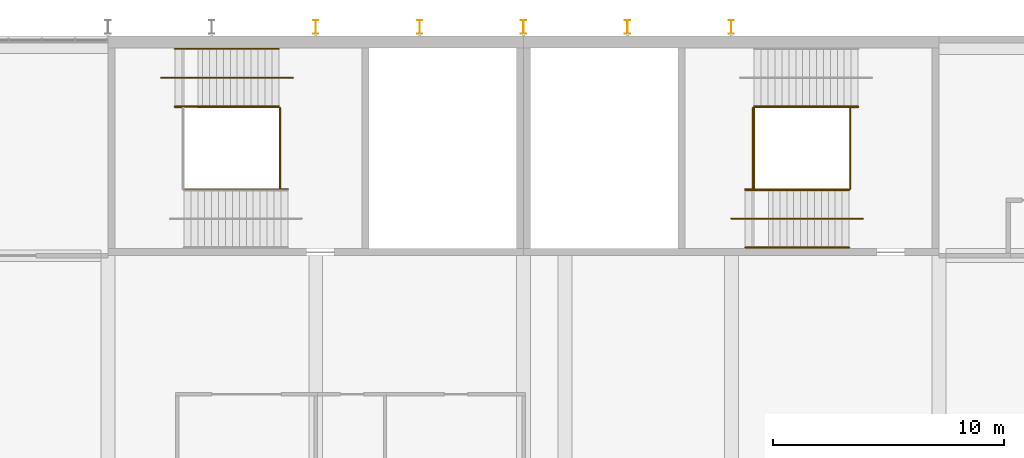
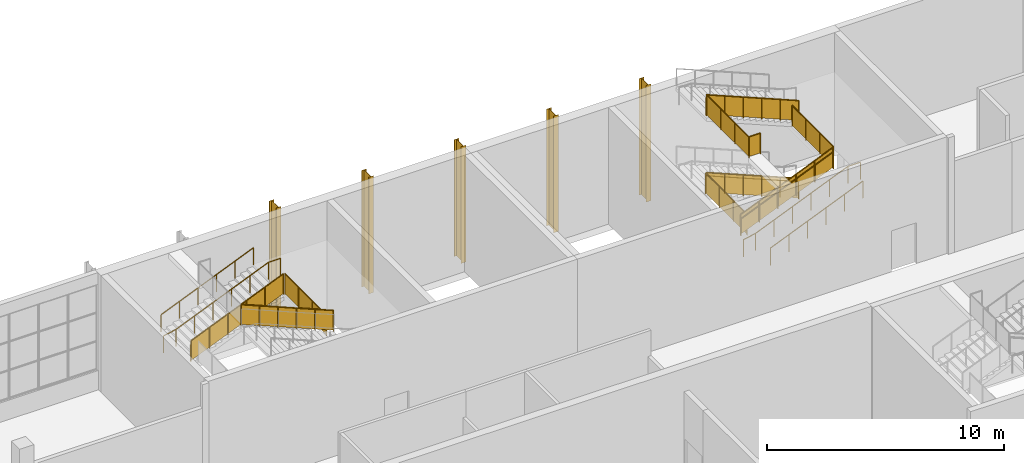
# One storey, part 87 of 89: 17 railings, 5 shading devices.
"""IFC4 building model written with IfcOpenShell, lengths in metres."""

import ifcopenshell
import ifcopenshell.guid

model = None  # the IFC model being written
_history = None  # IfcOwnerHistory: only IFC2X3 demands one
_inside = {}  # id of a spatial element -> (the spatial element, [elements in it])
_under = {}  # id of a project, library or spatial element -> (it, [spatial elements below it])
_declared = {}  # id of a project -> (the project, [libraries it declares])
_typed = {}  # id of a type object -> (the type object, [elements of that type])
_made_of = {}  # id of a material, layer set ... -> (it, [elements and type objects made of it])


def new_model(schema):
    """Start an empty IFC model of exactly this schema.

    Asked for "IFC4X3", IfcOpenShell would pick the latest addendum, in which some entities
    have other attributes; the version numbers below select the first issue.
    IFC2X3 requires an IfcOwnerHistory on every rooted entity: one is made here for all.
    """
    global model, _history
    if schema == "IFC4X3":
        model = ifcopenshell.file(schema_version=(4, 3, 0, 0))
    else:
        model = ifcopenshell.file(schema=schema)
    _inside.clear()
    _under.clear()
    _declared.clear()
    _typed.clear()
    _made_of.clear()
    _history = None
    if model.schema == "IFC2X3":
        org = make("IfcOrganization", Name="unknown")
        user = make(
            "IfcPersonAndOrganization",
            ThePerson=make("IfcPerson", FamilyName="unknown"),
            TheOrganization=org,
        )
        app = make(
            "IfcApplication",
            ApplicationDeveloper=org,
            Version="unknown",
            ApplicationFullName="unknown",
            ApplicationIdentifier="unknown",
        )
        _history = make(
            "IfcOwnerHistory",
            OwningUser=user,
            OwningApplication=app,
            ChangeAction="ADDED",
            CreationDate=0,
        )
    return model


def make(cls, **values):
    """One entity of the class cls with the attributes given. An attribute that is None is left unset."""
    return model.create_entity(
        cls, **{name: value for name, value in values.items() if value is not None}
    )


def rooted(cls, **values):
    """An entity with a GlobalId (a new one), such as an element, a storey or a relation."""
    return make(cls, GlobalId=ifcopenshell.guid.new(), OwnerHistory=_history, **values)


def si_unit(unit_type, name, prefix=None):
    """IfcSIUnit, for example si_unit("LENGTHUNIT", "METRE", prefix="MILLI")."""
    return make("IfcSIUnit", UnitType=unit_type, Prefix=prefix, Name=name)


def assignment(units):
    """IfcUnitAssignment: the units of a project."""
    return None if units is None else make("IfcUnitAssignment", Units=units)


def point(xyz):
    """IfcCartesianPoint."""
    return None if xyz is None else make("IfcCartesianPoint", Coordinates=xyz)


def direction(xyz):
    """IfcDirection."""
    return None if xyz is None else make("IfcDirection", DirectionRatios=xyz)


def frame(location, z_axis=None, x_axis=None):
    """IfcAxis2Placement3D, a coordinate frame: its origin and axes. An axis left out is left unset."""
    return make(
        "IfcAxis2Placement3D",
        Location=point(location),
        Axis=direction(z_axis),
        RefDirection=direction(x_axis),
    )


def frame_2d(location, x_axis=None):
    """IfcAxis2Placement2D, a coordinate frame in the plane: its origin and x axis."""
    return make(
        "IfcAxis2Placement2D", Location=point(location), RefDirection=direction(x_axis)
    )


def origin():
    """The frame at (0, 0, 0) with its axes left unset."""
    return frame((0.0, 0.0, 0.0))


def origin_2d():
    """The frame at (0, 0) in the plane with its x axis left unset."""
    return frame_2d((0.0, 0.0))


def place(relative_to, where):
    """IfcLocalPlacement: puts the frame where relative to a parent placement (None: the world)."""
    return make(
        "IfcLocalPlacement", PlacementRelTo=relative_to, RelativePlacement=where
    )


def context(
    kind, dimensions, precision=None, world=None, true_north=None, identifier=None
):
    """IfcGeometricRepresentationContext, for example the 3D "Model" context."""
    return make(
        "IfcGeometricRepresentationContext",
        ContextIdentifier=identifier,
        ContextType=kind,
        CoordinateSpaceDimension=dimensions,
        Precision=precision,
        WorldCoordinateSystem=world,
        TrueNorth=true_north,
    )


def subcontext(parent, identifier, kind, view, scale=None):
    """IfcGeometricRepresentationSubContext, for example "Body" below "Model"."""
    return make(
        "IfcGeometricRepresentationSubContext",
        ContextIdentifier=identifier,
        ContextType=kind,
        ParentContext=parent,
        TargetScale=scale,
        TargetView=view,
    )


def project(units=None, contexts=None):
    """IfcProject with its units and contexts."""
    return rooted(
        "IfcProject",
        Name="project",
        RepresentationContexts=contexts,
        UnitsInContext=assignment(units),
    )


def spatial(cls, under=None, at=None, **own):
    """A site, building, storey or space (cls), placed at a placement, below another one or the project."""
    s = rooted(cls, ObjectPlacement=at, **own)
    if under is not None:
        _under.setdefault(under.id(), (under, []))[1].append(s)
    return s


def polyline(points):
    """IfcPolyline through the points."""
    return make("IfcPolyline", Points=[point(p) for p in points])


def profile(cls, at=None, kind="AREA", **sizes):
    """A parametric profile (cls). Its sizes go by their IFC names, for example OverallWidth=200.0."""
    return make(cls, ProfileType=kind, Position=at, **sizes)


def circle(**sizes):
    """IfcCircleProfileDef."""
    return profile("IfcCircleProfileDef", **sizes)


def i_section(**sizes):
    """IfcIShapeProfileDef."""
    return profile("IfcIShapeProfileDef", **sizes)


def outline(outer, holes=None, kind="AREA"):
    """IfcArbitraryClosedProfileDef: a profile drawn as a closed curve; with holes, ...WithVoids."""
    if holes is None:
        return make("IfcArbitraryClosedProfileDef", ProfileType=kind, OuterCurve=outer)
    return make(
        "IfcArbitraryProfileDefWithVoids",
        ProfileType=kind,
        OuterCurve=outer,
        InnerCurves=holes,
    )


def extrude(swept, where, along, depth):
    """IfcExtrudedAreaSolid: the profile swept, set in the frame where, extruded along a direction by depth."""
    return make(
        "IfcExtrudedAreaSolid",
        SweptArea=swept,
        Position=where,
        ExtrudedDirection=direction(along),
        Depth=depth,
    )


def shape(context_of_items, identifier, shape_type, items):
    """IfcShapeRepresentation: the items that make up one representation, for example the "Body"."""
    return make(
        "IfcShapeRepresentation",
        ContextOfItems=context_of_items,
        RepresentationIdentifier=identifier,
        RepresentationType=shape_type,
        Items=items,
    )


def material(Name=None, Category=None):
    """IfcMaterial."""
    return make("IfcMaterial", Name=Name, Category=Category)


def material_profile(
    of_material, cross_section, Name=None, Category=None, Priority=None
):
    """IfcMaterialProfile: a cross section and its material."""
    return make(
        "IfcMaterialProfile",
        Name=Name,
        Material=of_material,
        Profile=cross_section,
        Priority=Priority,
        Category=Category,
    )


def profile_set(profiles, Name=None, composite=None):
    """IfcMaterialProfileSet."""
    return make(
        "IfcMaterialProfileSet",
        Name=Name,
        MaterialProfiles=profiles,
        CompositeProfile=composite,
    )


def made_of(thing, what):
    """Note that an element or type object is made of a material, layer set ...; save() writes the relation."""
    if what is not None:
        _made_of.setdefault(what.id(), (what, []))[1].append(thing)
    return thing


def type_object(cls, material=None, **own):
    """A type object (cls), such as IfcWallType, which elements share."""
    return made_of(rooted(cls, **own), material)


def element(
    cls,
    number,
    at=None,
    inside=None,
    cuts=None,
    type_object=None,
    material=None,
    context=None,
    identifier="Body",
    shape_type=None,
    held_by="IfcProductDefinitionShape",
    body=None,
    shapes=None,
    **own,
):
    """One element of the class cls, such as IfcWall. Its Tag is "e" and its number.

    at: its placement. inside: the storey or other place that contains it. cuts: it is an
    opening in that element (IfcRelVoidsElement). A single representation is given by context,
    identifier, shape_type and body (its items); several are given by shapes. held_by: the class
    of the entity that holds the representations. save() writes the other relations.
    """
    e = rooted(cls, Tag="e%d" % number, ObjectPlacement=at, **own)
    if body is not None:
        shapes = [shape(context, identifier, shape_type, body)]
    if shapes is not None:
        e.Representation = make(held_by, Representations=shapes)
    if inside is not None:
        _inside.setdefault(inside.id(), (inside, []))[1].append(e)
    if cuts is not None:
        rooted(
            "IfcRelVoidsElement", RelatingBuildingElement=cuts, RelatedOpeningElement=e
        )
    if type_object is not None:
        _typed.setdefault(type_object.id(), (type_object, []))[1].append(e)
    return made_of(e, material)


def aggregate(whole, parts):
    """IfcRelAggregates: a whole, such as a stair, and the parts it consists of."""
    return rooted("IfcRelAggregates", RelatingObject=whole, RelatedObjects=parts)


def save(model, path):
    """Write the relations noted so far, then the file.

    IfcRelAggregates (storeys below a building ...), IfcRelContainedInSpatialStructure (elements
    in a storey), IfcRelDefinesByType, IfcRelAssociatesMaterial and IfcRelDeclares: one each for
    every whole, place, type object, material and project.
    """
    for whole, parts in _under.values():
        aggregate(whole, parts)
    for where, things in _inside.values():
        rooted(
            "IfcRelContainedInSpatialStructure",
            RelatedElements=things,
            RelatingStructure=where,
        )
    for kind, things in _typed.values():
        rooted("IfcRelDefinesByType", RelatedObjects=things, RelatingType=kind)
    for what, things in _made_of.values():
        rooted("IfcRelAssociatesMaterial", RelatedObjects=things, RelatingMaterial=what)
    for by, libraries in _declared.values():
        rooted("IfcRelDeclares", RelatingContext=by, RelatedDefinitions=libraries)
    model.write(path)


model = new_model("IFC4")

# Units and contexts
model_context = context("Model", 3, precision=1e-05, world=origin(), true_north=direction((0.0, 1.0)))
body_context = subcontext(model_context, "Body", "Model", "MODEL_VIEW")
ifc_project = project(units=[si_unit("LENGTHUNIT", "METRE"), si_unit("AREAUNIT", "SQUARE_METRE"), si_unit("VOLUMEUNIT", "CUBIC_METRE"), si_unit("PLANEANGLEUNIT", "RADIAN"), si_unit("MASSUNIT", "GRAM", prefix="KILO")], contexts=[model_context])

# Site, building, storey
site_placement = place(None, origin())
site = spatial("IfcSite", under=ifc_project, at=site_placement, CompositionType="ELEMENT")
building_placement = place(site_placement, origin())
building = spatial("IfcBuilding", under=site, at=building_placement, Name="Silverbay Arena", CompositionType="ELEMENT")
storey_placement = place(building_placement, frame((0.0, 0.0, 22.0)))
storey = spatial("IfcBuildingStorey", under=building, at=storey_placement, Name="L03", CompositionType="ELEMENT", Elevation=22.0)

# Railings
ifc_material_1 = material(Name="Stainless steel", Category="steel")
railing_type_1 = type_object("IfcRailingType", Name="Stair guard 1100", PredefinedType="GUARDRAIL", material=ifc_material_1)
railing_1_placement = place(storey_placement, frame((146.89990234375, 141.425048828125, 2.125)))
element("IfcRailing", 1, at=railing_1_placement, inside=storey, type_object=railing_type_1, Name="Stair ST-N3 L03 to L04 flight 2 guard left", PredefinedType="GUARDRAIL", context=body_context, shape_type="SweptSolid", body=[
    extrude(circle(Radius=0.02392578125, at=origin_2d()), frame((0.0, 0.0, 1.076171875), z_axis=(0.923076923077, 0.0, 0.384615384615), x_axis=(0.0, 1.0, 0.0)), (0.0, 0.0, 1.0), 4.875),
    extrude(outline(polyline([(-0.008056640625, 0.046630859375), (0.907958984375, 0.42822265625), (0.907958984375, 1.431396484375), (-0.008056640625, 1.049560546875), (-0.008056640625, 0.046630859375)])), frame((0.0, 0.0029296875, 0.0), z_axis=(0.0, -1.0, 0.0), x_axis=(1.0, 0.0, 0.0)), (0.0, 0.0, 1.0), 0.006103515625),
    extrude(outline(polyline([(-0.008056640625, 0.421630859375), (0.907958984375, 0.80322265625), (0.907958984375, 1.806396484375), (-0.008056640625, 1.424560546875), (-0.008056640625, 0.421630859375)])), frame((0.89990234375, 0.0029296875, 0.0), z_axis=(0.0, -1.0, 0.0), x_axis=(1.0, 0.0, 0.0)), (0.0, 0.0, 1.0), 0.006103515625),
    extrude(outline(polyline([(-0.008056640625, 0.796630859375), (0.907958984375, 1.17822265625), (0.907958984375, 2.181396484375), (-0.008056640625, 1.799560546875), (-0.008056640625, 0.796630859375)])), frame((1.800048828125, 0.0029296875, 0.0), z_axis=(0.0, -1.0, 0.0), x_axis=(1.0, 0.0, 0.0)), (0.0, 0.0, 1.0), 0.006103515625),
    extrude(outline(polyline([(-0.008056640625, 1.171630859375), (0.907958984375, 1.55322265625), (0.907958984375, 2.556396484375), (-0.008056640625, 2.174560546875), (-0.008056640625, 1.171630859375)])), frame((2.699951171875, 0.0029296875, 0.0), z_axis=(0.0, -1.0, 0.0), x_axis=(1.0, 0.0, 0.0)), (0.0, 0.0, 1.0), 0.006103515625),
    extrude(outline(polyline([(-0.008056640625, 1.546630859375), (0.907958984375, 1.92822265625), (0.907958984375, 2.931396484375), (-0.008056640625, 2.549560546875), (-0.008056640625, 1.546630859375)])), frame((3.60009765625, 0.0029296875, 0.0), z_axis=(0.0, -1.0, 0.0), x_axis=(1.0, 0.0, 0.0)), (0.0, 0.0, 1.0), 0.006103515625),
    extrude(circle(Radius=0.02099609375, at=origin_2d()), origin(), (0.0, 0.0, 1.0), 1.052001953125),
    extrude(circle(Radius=0.02099609375, at=origin_2d()), frame((0.89990234375, 0.0, 0.375)), (0.0, 0.0, 1.0), 1.052001953125),
    extrude(circle(Radius=0.02099609375, at=origin_2d()), frame((1.800048828125, 0.0, 0.75)), (0.0, 0.0, 1.0), 1.052001953125),
    extrude(circle(Radius=0.02099609375, at=origin_2d()), frame((2.699951171875, 0.0, 1.125)), (0.0, 0.0, 1.0), 1.052001953125),
    extrude(circle(Radius=0.02099609375, at=origin_2d()), frame((3.60009765625, 0.0, 1.5)), (0.0, 0.0, 1.0), 1.052001953125),
    extrude(circle(Radius=0.02099609375, at=origin_2d()), frame((4.5, 0.0, 1.875)), (0.0, 0.0, 1.0), 1.052001953125),
])
railing_2_placement = place(storey_placement, frame((151.7900390625, 137.875, 4.125)))
element("IfcRailing", 2, at=railing_2_placement, inside=storey, type_object=railing_type_1, Name="Stair ST-N3 L03 to L04 flight 3 guard right", PredefinedType="GUARDRAIL", context=body_context, shape_type="SweptSolid", body=[
    extrude(circle(Radius=0.02392578125, at=origin_2d()), frame((0.0, 0.0, 1.076171875), z_axis=(-0.923076923077, 0.0, 0.384615384615), x_axis=(0.0, -1.0, 0.0)), (0.0, 0.0, 1.0), 4.875),
    extrude(outline(polyline([(-0.008056640625, 0.046630859375), (0.907958984375, 0.42822265625), (0.907958984375, 1.431396484375), (-0.008056640625, 1.049560546875), (-0.008056640625, 0.046630859375)])), frame((0.0, -0.0029296875, 0.0), z_axis=(0.0, 1.0, 0.0), x_axis=(-1.0, 0.0, 0.0)), (0.0, 0.0, 1.0), 0.006103515625),
    extrude(outline(polyline([(-0.008056640625, 0.421630859375), (0.907958984375, 0.80322265625), (0.907958984375, 1.806396484375), (-0.008056640625, 1.424560546875), (-0.008056640625, 0.421630859375)])), frame((-0.89990234375, -0.0029296875, 0.0), z_axis=(0.0, 1.0, 0.0), x_axis=(-1.0, 0.0, 0.0)), (0.0, 0.0, 1.0), 0.006103515625),
    extrude(outline(polyline([(-0.008056640625, 0.796630859375), (0.907958984375, 1.17822265625), (0.907958984375, 2.181396484375), (-0.008056640625, 1.799560546875), (-0.008056640625, 0.796630859375)])), frame((-1.800048828125, -0.0029296875, 0.0), z_axis=(0.0, 1.0, 0.0), x_axis=(-1.0, 0.0, 0.0)), (0.0, 0.0, 1.0), 0.006103515625),
    extrude(outline(polyline([(-0.008056640625, 1.171630859375), (0.907958984375, 1.55322265625), (0.907958984375, 2.556396484375), (-0.008056640625, 2.174560546875), (-0.008056640625, 1.171630859375)])), frame((-2.699951171875, -0.0029296875, 0.0), z_axis=(0.0, 1.0, 0.0), x_axis=(-1.0, 0.0, 0.0)), (0.0, 0.0, 1.0), 0.006103515625),
    extrude(outline(polyline([(-0.008056640625, 1.546630859375), (0.907958984375, 1.92822265625), (0.907958984375, 2.931396484375), (-0.008056640625, 2.549560546875), (-0.008056640625, 1.546630859375)])), frame((-3.60009765625, -0.0029296875, 0.0), z_axis=(0.0, 1.0, 0.0), x_axis=(-1.0, 0.0, 0.0)), (0.0, 0.0, 1.0), 0.006103515625),
    extrude(circle(Radius=0.02099609375, at=origin_2d()), origin(), (0.0, 0.0, 1.0), 1.052001953125),
    extrude(circle(Radius=0.02099609375, at=origin_2d()), frame((-0.89990234375, 0.0, 0.375)), (0.0, 0.0, 1.0), 1.052001953125),
    extrude(circle(Radius=0.02099609375, at=origin_2d()), frame((-1.800048828125, 0.0, 0.75)), (0.0, 0.0, 1.0), 1.052001953125),
    extrude(circle(Radius=0.02099609375, at=origin_2d()), frame((-2.699951171875, 0.0, 1.125)), (0.0, 0.0, 1.0), 1.052001953125),
    extrude(circle(Radius=0.02099609375, at=origin_2d()), frame((-3.60009765625, 0.0, 1.5)), (0.0, 0.0, 1.0), 1.052001953125),
    extrude(circle(Radius=0.02099609375, at=origin_2d()), frame((-4.5, 0.0, 1.875)), (0.0, 0.0, 1.0), 1.052001953125),
])
railing_3_placement = place(storey_placement, frame((151.449951171875, 137.89990234375, 4.0)))
element("IfcRailing", 3, at=railing_3_placement, inside=storey, type_object=railing_type_1, Name="Stair ST-N3 L03 to L04 landing 2 guard", PredefinedType="GUARDRAIL", context=body_context, shape_type="SweptSolid", body=[
    extrude(circle(Radius=0.02392578125, at=origin_2d()), frame((0.0, 0.0, 1.076171875), z_axis=(0.0, 1.0, 0.0), x_axis=(-1.0, 0.0, 0.0)), (0.0, 0.0, 1.0), 3.5),
    extrude(outline(polyline([(-0.008056640625, 0.050048828125), (1.174560546875, 0.050048828125), (1.174560546875, 1.052978515625), (-0.008056640625, 1.052978515625), (-0.008056640625, 0.050048828125)])), frame((-0.0029296875, 0.0, 0.0), z_axis=(1.0, 0.0, 0.0), x_axis=(0.0, 1.0, 0.0)), (0.0, 0.0, 1.0), 0.006103515625),
    extrude(outline(polyline([(-0.008056640625, 0.050048828125), (1.174560546875, 0.050048828125), (1.174560546875, 1.052978515625), (-0.008056640625, 1.052978515625), (-0.008056640625, 0.050048828125)])), frame((-0.0029296875, 1.166748046875, 0.0), z_axis=(1.0, 0.0, 0.0), x_axis=(0.0, 1.0, 0.0)), (0.0, 0.0, 1.0), 0.006103515625),
    extrude(outline(polyline([(-0.008056640625, 0.050048828125), (1.174560546875, 0.050048828125), (1.174560546875, 1.052978515625), (-0.008056640625, 1.052978515625), (-0.008056640625, 0.050048828125)])), frame((-0.0029296875, 2.333251953125, 0.0), z_axis=(1.0, 0.0, 0.0), x_axis=(0.0, 1.0, 0.0)), (0.0, 0.0, 1.0), 0.006103515625),
    extrude(circle(Radius=0.02099609375, at=origin_2d()), origin(), (0.0, 0.0, 1.0), 1.052001953125),
    extrude(circle(Radius=0.02099609375, at=origin_2d()), frame((0.0, 1.166748046875, 0.0)), (0.0, 0.0, 1.0), 1.052001953125),
    extrude(circle(Radius=0.02099609375, at=origin_2d()), frame((0.0, 2.333251953125, 0.0)), (0.0, 0.0, 1.0), 1.052001953125),
    extrude(circle(Radius=0.02099609375, at=origin_2d()), frame((0.0, 3.5, 0.0)), (0.0, 0.0, 1.0), 1.052001953125),
])
railing_4_placement = place(storey_placement, frame((176.489990234375, 141.425048828125, 0.125)))
element("IfcRailing", 4, at=railing_4_placement, inside=storey, type_object=railing_type_1, Name="Stair ST-N4 L03 to L04 flight 1 guard left", PredefinedType="GUARDRAIL", context=body_context, shape_type="SweptSolid", body=[
    extrude(circle(Radius=0.02392578125, at=origin_2d()), frame((0.0, 0.0, 1.076171875), z_axis=(-0.923076923077, 0.0, 0.384615384615), x_axis=(0.0, -1.0, 0.0)), (0.0, 0.0, 1.0), 4.875),
    extrude(outline(polyline([(-0.008056640625, 0.046630859375), (0.907958984375, 0.42822265625), (0.907958984375, 1.431396484375), (-0.008056640625, 1.049560546875), (-0.008056640625, 0.046630859375)])), frame((0.0, -0.0029296875, 0.0), z_axis=(0.0, 1.0, 0.0), x_axis=(-1.0, 0.0, 0.0)), (0.0, 0.0, 1.0), 0.006103515625),
    extrude(outline(polyline([(-0.008056640625, 0.421630859375), (0.907958984375, 0.80322265625), (0.907958984375, 1.806396484375), (-0.008056640625, 1.424560546875), (-0.008056640625, 0.421630859375)])), frame((-0.89990234375, -0.0029296875, 0.0), z_axis=(0.0, 1.0, 0.0), x_axis=(-1.0, 0.0, 0.0)), (0.0, 0.0, 1.0), 0.006103515625),
    extrude(outline(polyline([(-0.008056640625, 0.796630859375), (0.907958984375, 1.17822265625), (0.907958984375, 2.181396484375), (-0.008056640625, 1.799560546875), (-0.008056640625, 0.796630859375)])), frame((-1.800048828125, -0.0029296875, 0.0), z_axis=(0.0, 1.0, 0.0), x_axis=(-1.0, 0.0, 0.0)), (0.0, 0.0, 1.0), 0.006103515625),
    extrude(outline(polyline([(-0.008056640625, 1.171630859375), (0.907958984375, 1.55322265625), (0.907958984375, 2.556396484375), (-0.008056640625, 2.174560546875), (-0.008056640625, 1.171630859375)])), frame((-2.699951171875, -0.0029296875, 0.0), z_axis=(0.0, 1.0, 0.0), x_axis=(-1.0, 0.0, 0.0)), (0.0, 0.0, 1.0), 0.006103515625),
    extrude(outline(polyline([(-0.008056640625, 1.546630859375), (0.907958984375, 1.92822265625), (0.907958984375, 2.931396484375), (-0.008056640625, 2.549560546875), (-0.008056640625, 1.546630859375)])), frame((-3.60009765625, -0.0029296875, 0.0), z_axis=(0.0, 1.0, 0.0), x_axis=(-1.0, 0.0, 0.0)), (0.0, 0.0, 1.0), 0.006103515625),
    extrude(circle(Radius=0.02099609375, at=origin_2d()), origin(), (0.0, 0.0, 1.0), 1.052001953125),
    extrude(circle(Radius=0.02099609375, at=origin_2d()), frame((-0.89990234375, 0.0, 0.375)), (0.0, 0.0, 1.0), 1.052001953125),
    extrude(circle(Radius=0.02099609375, at=origin_2d()), frame((-1.800048828125, 0.0, 0.75)), (0.0, 0.0, 1.0), 1.052001953125),
    extrude(circle(Radius=0.02099609375, at=origin_2d()), frame((-2.699951171875, 0.0, 1.125)), (0.0, 0.0, 1.0), 1.052001953125),
    extrude(circle(Radius=0.02099609375, at=origin_2d()), frame((-3.60009765625, 0.0, 1.5)), (0.0, 0.0, 1.0), 1.052001953125),
    extrude(circle(Radius=0.02099609375, at=origin_2d()), frame((-4.5, 0.0, 1.875)), (0.0, 0.0, 1.0), 1.052001953125),
])
railing_5_placement = place(storey_placement, frame((171.60009765625, 137.875, 2.125)))
element("IfcRailing", 5, at=railing_5_placement, inside=storey, type_object=railing_type_1, Name="Stair ST-N4 L03 to L04 flight 2 guard right", PredefinedType="GUARDRAIL", context=body_context, shape_type="SweptSolid", body=[
    extrude(circle(Radius=0.02392578125, at=origin_2d()), frame((0.0, 0.0, 1.076171875), z_axis=(0.923076923077, 0.0, 0.384615384615), x_axis=(0.0, 1.0, 0.0)), (0.0, 0.0, 1.0), 4.875),
    extrude(outline(polyline([(-0.008056640625, 0.046630859375), (0.907958984375, 0.42822265625), (0.907958984375, 1.431396484375), (-0.008056640625, 1.049560546875), (-0.008056640625, 0.046630859375)])), frame((0.0, 0.0029296875, 0.0), z_axis=(0.0, -1.0, 0.0), x_axis=(1.0, 0.0, 0.0)), (0.0, 0.0, 1.0), 0.006103515625),
    extrude(outline(polyline([(-0.008056640625, 0.421630859375), (0.907958984375, 0.80322265625), (0.907958984375, 1.806396484375), (-0.008056640625, 1.424560546875), (-0.008056640625, 0.421630859375)])), frame((0.89990234375, 0.0029296875, 0.0), z_axis=(0.0, -1.0, 0.0), x_axis=(1.0, 0.0, 0.0)), (0.0, 0.0, 1.0), 0.006103515625),
    extrude(outline(polyline([(-0.008056640625, 0.796630859375), (0.907958984375, 1.17822265625), (0.907958984375, 2.181396484375), (-0.008056640625, 1.799560546875), (-0.008056640625, 0.796630859375)])), frame((1.800048828125, 0.0029296875, 0.0), z_axis=(0.0, -1.0, 0.0), x_axis=(1.0, 0.0, 0.0)), (0.0, 0.0, 1.0), 0.006103515625),
    extrude(outline(polyline([(-0.008056640625, 1.171630859375), (0.907958984375, 1.55322265625), (0.907958984375, 2.556396484375), (-0.008056640625, 2.174560546875), (-0.008056640625, 1.171630859375)])), frame((2.699951171875, 0.0029296875, 0.0), z_axis=(0.0, -1.0, 0.0), x_axis=(1.0, 0.0, 0.0)), (0.0, 0.0, 1.0), 0.006103515625),
    extrude(outline(polyline([(-0.008056640625, 1.546630859375), (0.907958984375, 1.92822265625), (0.907958984375, 2.931396484375), (-0.008056640625, 2.549560546875), (-0.008056640625, 1.546630859375)])), frame((3.60009765625, 0.0029296875, 0.0), z_axis=(0.0, -1.0, 0.0), x_axis=(1.0, 0.0, 0.0)), (0.0, 0.0, 1.0), 0.006103515625),
    extrude(circle(Radius=0.02099609375, at=origin_2d()), origin(), (0.0, 0.0, 1.0), 1.052001953125),
    extrude(circle(Radius=0.02099609375, at=origin_2d()), frame((0.89990234375, 0.0, 0.375)), (0.0, 0.0, 1.0), 1.052001953125),
    extrude(circle(Radius=0.02099609375, at=origin_2d()), frame((1.800048828125, 0.0, 0.75)), (0.0, 0.0, 1.0), 1.052001953125),
    extrude(circle(Radius=0.02099609375, at=origin_2d()), frame((2.699951171875, 0.0, 1.125)), (0.0, 0.0, 1.0), 1.052001953125),
    extrude(circle(Radius=0.02099609375, at=origin_2d()), frame((3.60009765625, 0.0, 1.5)), (0.0, 0.0, 1.0), 1.052001953125),
    extrude(circle(Radius=0.02099609375, at=origin_2d()), frame((4.5, 0.0, 1.875)), (0.0, 0.0, 1.0), 1.052001953125),
])
railing_6_placement = place(storey_placement, frame((176.489990234375, 141.425048828125, 4.125)))
element("IfcRailing", 6, at=railing_6_placement, inside=storey, type_object=railing_type_1, Name="Stair ST-N4 L03 to L04 flight 3 guard left", PredefinedType="GUARDRAIL", context=body_context, shape_type="SweptSolid", body=[
    extrude(circle(Radius=0.02392578125, at=origin_2d()), frame((0.0, 0.0, 1.076171875), z_axis=(-0.923076923077, 0.0, 0.384615384615), x_axis=(0.0, -1.0, 0.0)), (0.0, 0.0, 1.0), 4.875),
    extrude(outline(polyline([(-0.008056640625, 0.046630859375), (0.907958984375, 0.42822265625), (0.907958984375, 1.431396484375), (-0.008056640625, 1.049560546875), (-0.008056640625, 0.046630859375)])), frame((0.0, -0.0029296875, 0.0), z_axis=(0.0, 1.0, 0.0), x_axis=(-1.0, 0.0, 0.0)), (0.0, 0.0, 1.0), 0.006103515625),
    extrude(outline(polyline([(-0.008056640625, 0.421630859375), (0.907958984375, 0.80322265625), (0.907958984375, 1.806396484375), (-0.008056640625, 1.424560546875), (-0.008056640625, 0.421630859375)])), frame((-0.89990234375, -0.0029296875, 0.0), z_axis=(0.0, 1.0, 0.0), x_axis=(-1.0, 0.0, 0.0)), (0.0, 0.0, 1.0), 0.006103515625),
    extrude(outline(polyline([(-0.008056640625, 0.796630859375), (0.907958984375, 1.17822265625), (0.907958984375, 2.181396484375), (-0.008056640625, 1.799560546875), (-0.008056640625, 0.796630859375)])), frame((-1.800048828125, -0.0029296875, 0.0), z_axis=(0.0, 1.0, 0.0), x_axis=(-1.0, 0.0, 0.0)), (0.0, 0.0, 1.0), 0.006103515625),
    extrude(outline(polyline([(-0.008056640625, 1.171630859375), (0.907958984375, 1.55322265625), (0.907958984375, 2.556396484375), (-0.008056640625, 2.174560546875), (-0.008056640625, 1.171630859375)])), frame((-2.699951171875, -0.0029296875, 0.0), z_axis=(0.0, 1.0, 0.0), x_axis=(-1.0, 0.0, 0.0)), (0.0, 0.0, 1.0), 0.006103515625),
    extrude(outline(polyline([(-0.008056640625, 1.546630859375), (0.907958984375, 1.92822265625), (0.907958984375, 2.931396484375), (-0.008056640625, 2.549560546875), (-0.008056640625, 1.546630859375)])), frame((-3.60009765625, -0.0029296875, 0.0), z_axis=(0.0, 1.0, 0.0), x_axis=(-1.0, 0.0, 0.0)), (0.0, 0.0, 1.0), 0.006103515625),
    extrude(circle(Radius=0.02099609375, at=origin_2d()), origin(), (0.0, 0.0, 1.0), 1.052001953125),
    extrude(circle(Radius=0.02099609375, at=origin_2d()), frame((-0.89990234375, 0.0, 0.375)), (0.0, 0.0, 1.0), 1.052001953125),
    extrude(circle(Radius=0.02099609375, at=origin_2d()), frame((-1.800048828125, 0.0, 0.75)), (0.0, 0.0, 1.0), 1.052001953125),
    extrude(circle(Radius=0.02099609375, at=origin_2d()), frame((-2.699951171875, 0.0, 1.125)), (0.0, 0.0, 1.0), 1.052001953125),
    extrude(circle(Radius=0.02099609375, at=origin_2d()), frame((-3.60009765625, 0.0, 1.5)), (0.0, 0.0, 1.0), 1.052001953125),
    extrude(circle(Radius=0.02099609375, at=origin_2d()), frame((-4.5, 0.0, 1.875)), (0.0, 0.0, 1.0), 1.052001953125),
])
for number, where, name in (
    (7, (171.93994140625, 137.89990234375, 2.0), "Stair ST-N4 L03 to L04 landing 1 guard"),
    (8, (176.14990234375, 137.89990234375, 4.0), "Stair ST-N4 L03 to L04 landing 2 guard"),
):
    element("IfcRailing", number, at=place(storey_placement, frame(where)), inside=storey, type_object=railing_type_1, Name=name, PredefinedType="GUARDRAIL", context=body_context, shape_type="SweptSolid", body=[
        extrude(circle(Radius=0.02392578125, at=origin_2d()), frame((0.0, 0.0, 1.076171875), z_axis=(0.0, 1.0, 0.0), x_axis=(-1.0, 0.0, 0.0)), (0.0, 0.0, 1.0), 3.5),
        extrude(outline(polyline([(-0.008056640625, 0.050048828125), (1.174560546875, 0.050048828125), (1.174560546875, 1.052978515625), (-0.008056640625, 1.052978515625), (-0.008056640625, 0.050048828125)])), frame((-0.0029296875, 0.0, 0.0), z_axis=(1.0, 0.0, 0.0), x_axis=(0.0, 1.0, 0.0)), (0.0, 0.0, 1.0), 0.006103515625),
        extrude(outline(polyline([(-0.008056640625, 0.050048828125), (1.174560546875, 0.050048828125), (1.174560546875, 1.052978515625), (-0.008056640625, 1.052978515625), (-0.008056640625, 0.050048828125)])), frame((-0.0029296875, 1.166748046875, 0.0), z_axis=(1.0, 0.0, 0.0), x_axis=(0.0, 1.0, 0.0)), (0.0, 0.0, 1.0), 0.006103515625),
        extrude(outline(polyline([(-0.008056640625, 0.050048828125), (1.174560546875, 0.050048828125), (1.174560546875, 1.052978515625), (-0.008056640625, 1.052978515625), (-0.008056640625, 0.050048828125)])), frame((-0.0029296875, 2.333251953125, 0.0), z_axis=(1.0, 0.0, 0.0), x_axis=(0.0, 1.0, 0.0)), (0.0, 0.0, 1.0), 0.006103515625),
        extrude(circle(Radius=0.02099609375, at=origin_2d()), origin(), (0.0, 0.0, 1.0), 1.052001953125),
        extrude(circle(Radius=0.02099609375, at=origin_2d()), frame((0.0, 1.166748046875, 0.0)), (0.0, 0.0, 1.0), 1.052001953125),
        extrude(circle(Radius=0.02099609375, at=origin_2d()), frame((0.0, 2.333251953125, 0.0)), (0.0, 0.0, 1.0), 1.052001953125),
        extrude(circle(Radius=0.02099609375, at=origin_2d()), frame((0.0, 3.5, 0.0)), (0.0, 0.0, 1.0), 1.052001953125),
    ])
railing_7_placement = place(storey_placement, frame((172.550048828125, 137.85009765625, 6.0)))
element("IfcRailing", 9, at=railing_7_placement, inside=storey, type_object=railing_type_1, Name="Stair ST-N4 L03 to L04 landing 3 guard", PredefinedType="GUARDRAIL", context=body_context, shape_type="SweptSolid", body=[
    extrude(circle(Radius=0.02392578125, at=origin_2d()), frame((0.0, 0.0, 1.076171875), z_axis=(-1.0, 0.0, 0.0), x_axis=(0.0, -1.0, 0.0)), (0.0, 0.0, 1.0), 0.56005859375),
    extrude(outline(polyline([(-0.008056640625, 0.050048828125), (0.568115234375, 0.050048828125), (0.568115234375, 1.052978515625), (-0.008056640625, 1.052978515625), (-0.008056640625, 0.050048828125)])), frame((0.0, -0.0029296875, 0.0), z_axis=(0.0, 1.0, 0.0), x_axis=(-1.0, 0.0, 0.0)), (0.0, 0.0, 1.0), 0.006103515625),
    extrude(circle(Radius=0.02392578125, at=origin_2d()), frame((-0.56005859375, 0.0, 1.076171875), z_axis=(0.0, 1.0, 0.0), x_axis=(-1.0, 0.0, 0.0)), (0.0, 0.0, 1.0), 3.5498046875),
    extrude(outline(polyline([(-0.008056640625, 0.050048828125), (1.191162109375, 0.050048828125), (1.191162109375, 1.052978515625), (-0.008056640625, 1.052978515625), (-0.008056640625, 0.050048828125)])), frame((-0.56298828125, 0.0, 0.0), z_axis=(1.0, 0.0, 0.0), x_axis=(0.0, 1.0, 0.0)), (0.0, 0.0, 1.0), 0.006103515625),
    extrude(outline(polyline([(-0.008056640625, 0.050048828125), (1.191162109375, 0.050048828125), (1.191162109375, 1.052978515625), (-0.008056640625, 1.052978515625), (-0.008056640625, 0.050048828125)])), frame((-0.56298828125, 1.183349609375, 0.0), z_axis=(1.0, 0.0, 0.0), x_axis=(0.0, 1.0, 0.0)), (0.0, 0.0, 1.0), 0.006103515625),
    extrude(outline(polyline([(-0.008056640625, 0.050048828125), (1.191162109375, 0.050048828125), (1.191162109375, 1.052978515625), (-0.008056640625, 1.052978515625), (-0.008056640625, 0.050048828125)])), frame((-0.56298828125, 2.366455078125, 0.0), z_axis=(1.0, 0.0, 0.0), x_axis=(0.0, 1.0, 0.0)), (0.0, 0.0, 1.0), 0.006103515625),
    extrude(circle(Radius=0.02099609375, at=origin_2d()), origin(), (0.0, 0.0, 1.0), 1.052001953125),
    extrude(circle(Radius=0.02099609375, at=origin_2d()), frame((-0.56005859375, 0.0, 0.0)), (0.0, 0.0, 1.0), 1.052001953125),
    extrude(circle(Radius=0.02099609375, at=origin_2d()), frame((-0.56005859375, 1.183349609375, 0.0)), (0.0, 0.0, 1.0), 1.052001953125),
    extrude(circle(Radius=0.02099609375, at=origin_2d()), frame((-0.56005859375, 2.366455078125, 0.0)), (0.0, 0.0, 1.0), 1.052001953125),
    extrude(circle(Radius=0.02099609375, at=origin_2d()), frame((-0.56005859375, 3.5498046875, 0.0)), (0.0, 0.0, 1.0), 1.052001953125),
])
ifc_material_2 = material(Name="Stainless steel", Category="steel")
railing_type_2 = type_object("IfcRailingType", Name="Stair handrail 900", PredefinedType="HANDRAIL", material=ifc_material_2)
for number, where, name in (
    (10, (146.89990234375, 141.464111328125, 2.125), "Stair ST-N3 L03 to L04 flight 2 handrail left"),
    (11, (146.89990234375, 143.949951171875, 2.125), "Stair ST-N3 L03 to L04 flight 2 handrail right"),
):
    element("IfcRailing", number, at=place(storey_placement, frame(where)), inside=storey, type_object=railing_type_2, Name=name, PredefinedType="HANDRAIL", context=body_context, shape_type="SweptSolid", body=[
        extrude(circle(Radius=0.02392578125, at=origin_2d()), frame((0.0, 0.0, 0.8759765625), z_axis=(0.923076923077, 0.0, 0.384615384615), x_axis=(0.0, 1.0, 0.0)), (0.0, 0.0, 1.0), 4.875),
        extrude(circle(Radius=0.02099609375, at=origin_2d()), origin(), (0.0, 0.0, 1.0), 0.851806640625),
        extrude(circle(Radius=0.02099609375, at=origin_2d()), frame((0.89990234375, 0.0, 0.375)), (0.0, 0.0, 1.0), 0.851806640625),
        extrude(circle(Radius=0.02099609375, at=origin_2d()), frame((1.800048828125, 0.0, 0.75)), (0.0, 0.0, 1.0), 0.851806640625),
        extrude(circle(Radius=0.02099609375, at=origin_2d()), frame((2.699951171875, 0.0, 1.125)), (0.0, 0.0, 1.0), 0.851806640625),
        extrude(circle(Radius=0.02099609375, at=origin_2d()), frame((3.60009765625, 0.0, 1.5)), (0.0, 0.0, 1.0), 0.851806640625),
        extrude(circle(Radius=0.02099609375, at=origin_2d()), frame((4.5, 0.0, 1.875)), (0.0, 0.0, 1.0), 0.851806640625),
    ])
railing_8_placement = place(storey_placement, frame((146.300048828125, 142.699951171875, 2.0)))
element("IfcRailing", 12, at=railing_8_placement, inside=storey, type_object=railing_type_2, Name="Stair ST-N3 L03 to L04 flight 2 central handrail", PredefinedType="HANDRAIL", context=body_context, shape_type="SweptSolid", body=[
    extrude(circle(Radius=0.02392578125, at=origin_2d()), frame((0.0, 0.0, 0.8759765625), z_axis=(0.978970474113, 0.0, 0.20400198728), x_axis=(0.0, 1.0, 0.0)), (0.0, 0.0, 1.0), 0.61279296875),
    extrude(circle(Radius=0.02392578125, at=origin_2d()), frame((0.599853515625, 0.0, 1.0009765625), z_axis=(0.923076923077, 0.0, 0.384615384615), x_axis=(0.0, 1.0, 0.0)), (0.0, 0.0, 1.0), 4.875),
    extrude(circle(Radius=0.02392578125, at=origin_2d()), frame((5.099853515625, 0.0, 2.8759765625), z_axis=(1.0, 0.0, 0.0), x_axis=(0.0, 1.0, 0.0)), (0.0, 0.0, 1.0), 0.60009765625),
    extrude(circle(Radius=0.02099609375, at=origin_2d()), origin(), (0.0, 0.0, 1.0), 0.851806640625),
    extrude(circle(Radius=0.02099609375, at=origin_2d()), frame((0.599853515625, 0.0, 0.125)), (0.0, 0.0, 1.0), 0.851806640625),
    extrude(circle(Radius=0.02099609375, at=origin_2d()), frame((1.499755859375, 0.0, 0.5)), (0.0, 0.0, 1.0), 0.851806640625),
    extrude(circle(Radius=0.02099609375, at=origin_2d()), frame((2.39990234375, 0.0, 0.875)), (0.0, 0.0, 1.0), 0.851806640625),
    extrude(circle(Radius=0.02099609375, at=origin_2d()), frame((3.2998046875, 0.0, 1.25)), (0.0, 0.0, 1.0), 0.851806640625),
    extrude(circle(Radius=0.02099609375, at=origin_2d()), frame((4.199951171875, 0.0, 1.625)), (0.0, 0.0, 1.0), 0.851806640625),
    extrude(circle(Radius=0.02099609375, at=origin_2d()), frame((5.099853515625, 0.0, 2.0)), (0.0, 0.0, 1.0), 0.851806640625),
    extrude(circle(Radius=0.02099609375, at=origin_2d()), frame((5.699951171875, 0.0, 2.0)), (0.0, 0.0, 1.0), 0.851806640625),
])
railing_9_placement = place(storey_placement, frame((176.489990234375, 141.464111328125, 0.125)))
element("IfcRailing", 13, at=railing_9_placement, inside=storey, type_object=railing_type_2, Name="Stair ST-N4 L03 to L04 flight 1 handrail left", PredefinedType="HANDRAIL", context=body_context, shape_type="SweptSolid", body=[
    extrude(circle(Radius=0.02392578125, at=origin_2d()), frame((0.0, 0.0, 0.8759765625), z_axis=(-0.923076923077, 0.0, 0.384615384615), x_axis=(0.0, -1.0, 0.0)), (0.0, 0.0, 1.0), 4.875),
    extrude(circle(Radius=0.02099609375, at=origin_2d()), origin(), (0.0, 0.0, 1.0), 0.851806640625),
    extrude(circle(Radius=0.02099609375, at=origin_2d()), frame((-0.89990234375, 0.0, 0.375)), (0.0, 0.0, 1.0), 0.851806640625),
    extrude(circle(Radius=0.02099609375, at=origin_2d()), frame((-1.800048828125, 0.0, 0.75)), (0.0, 0.0, 1.0), 0.851806640625),
    extrude(circle(Radius=0.02099609375, at=origin_2d()), frame((-2.699951171875, 0.0, 1.125)), (0.0, 0.0, 1.0), 0.851806640625),
    extrude(circle(Radius=0.02099609375, at=origin_2d()), frame((-3.60009765625, 0.0, 1.5)), (0.0, 0.0, 1.0), 0.851806640625),
    extrude(circle(Radius=0.02099609375, at=origin_2d()), frame((-4.5, 0.0, 1.875)), (0.0, 0.0, 1.0), 0.851806640625),
])
for number, where, name in (
    (14, (171.60009765625, 135.35009765625, 2.125), "Stair ST-N4 L03 to L04 flight 2 handrail left"),
    (15, (171.60009765625, 137.8359375, 2.125), "Stair ST-N4 L03 to L04 flight 2 handrail right"),
):
    element("IfcRailing", number, at=place(storey_placement, frame(where)), inside=storey, type_object=railing_type_2, Name=name, PredefinedType="HANDRAIL", context=body_context, shape_type="SweptSolid", body=[
        extrude(circle(Radius=0.02392578125, at=origin_2d()), frame((0.0, 0.0, 0.8759765625), z_axis=(0.923076923077, 0.0, 0.384615384615), x_axis=(0.0, 1.0, 0.0)), (0.0, 0.0, 1.0), 4.875),
        extrude(circle(Radius=0.02099609375, at=origin_2d()), origin(), (0.0, 0.0, 1.0), 0.851806640625),
        extrude(circle(Radius=0.02099609375, at=origin_2d()), frame((0.89990234375, 0.0, 0.375)), (0.0, 0.0, 1.0), 0.851806640625),
        extrude(circle(Radius=0.02099609375, at=origin_2d()), frame((1.800048828125, 0.0, 0.75)), (0.0, 0.0, 1.0), 0.851806640625),
        extrude(circle(Radius=0.02099609375, at=origin_2d()), frame((2.699951171875, 0.0, 1.125)), (0.0, 0.0, 1.0), 0.851806640625),
        extrude(circle(Radius=0.02099609375, at=origin_2d()), frame((3.60009765625, 0.0, 1.5)), (0.0, 0.0, 1.0), 0.851806640625),
        extrude(circle(Radius=0.02099609375, at=origin_2d()), frame((4.5, 0.0, 1.875)), (0.0, 0.0, 1.0), 0.851806640625),
    ])
railing_10_placement = place(storey_placement, frame((171.0, 136.60009765625, 2.0)))
element("IfcRailing", 16, at=railing_10_placement, inside=storey, type_object=railing_type_2, Name="Stair ST-N4 L03 to L04 flight 2 central handrail", PredefinedType="HANDRAIL", context=body_context, shape_type="SweptSolid", body=[
    extrude(circle(Radius=0.02392578125, at=origin_2d()), frame((0.0, 0.0, 0.8759765625), z_axis=(0.978987046276, 0.0, 0.203922444139), x_axis=(0.0, 1.0, 0.0)), (0.0, 0.0, 1.0), 0.613037109375),
    extrude(circle(Radius=0.02392578125, at=origin_2d()), frame((0.60009765625, 0.0, 1.0009765625), z_axis=(0.923076923077, 0.0, 0.384615384615), x_axis=(0.0, 1.0, 0.0)), (0.0, 0.0, 1.0), 4.875),
    extrude(circle(Radius=0.02392578125, at=origin_2d()), frame((5.10009765625, 0.0, 2.8759765625), z_axis=(1.0, 0.0, 0.0), x_axis=(0.0, 1.0, 0.0)), (0.0, 0.0, 1.0), 0.599853515625),
    extrude(circle(Radius=0.02099609375, at=origin_2d()), origin(), (0.0, 0.0, 1.0), 0.851806640625),
    extrude(circle(Radius=0.02099609375, at=origin_2d()), frame((0.60009765625, 0.0, 0.125)), (0.0, 0.0, 1.0), 0.851806640625),
    extrude(circle(Radius=0.02099609375, at=origin_2d()), frame((1.5, 0.0, 0.5)), (0.0, 0.0, 1.0), 0.851806640625),
    extrude(circle(Radius=0.02099609375, at=origin_2d()), frame((2.400146484375, 0.0, 0.875)), (0.0, 0.0, 1.0), 0.851806640625),
    extrude(circle(Radius=0.02099609375, at=origin_2d()), frame((3.300048828125, 0.0, 1.25)), (0.0, 0.0, 1.0), 0.851806640625),
    extrude(circle(Radius=0.02099609375, at=origin_2d()), frame((4.2001953125, 0.0, 1.625)), (0.0, 0.0, 1.0), 0.851806640625),
    extrude(circle(Radius=0.02099609375, at=origin_2d()), frame((5.10009765625, 0.0, 2.0)), (0.0, 0.0, 1.0), 0.851806640625),
    extrude(circle(Radius=0.02099609375, at=origin_2d()), frame((5.699951171875, 0.0, 2.0)), (0.0, 0.0, 1.0), 0.851806640625),
])
railing_11_placement = place(storey_placement, frame((176.489990234375, 141.464111328125, 4.125)))
element("IfcRailing", 17, at=railing_11_placement, inside=storey, type_object=railing_type_2, Name="Stair ST-N4 L03 to L04 flight 3 handrail left", PredefinedType="HANDRAIL", context=body_context, shape_type="SweptSolid", body=[
    extrude(circle(Radius=0.02392578125, at=origin_2d()), frame((0.0, 0.0, 0.8759765625), z_axis=(-0.923076923077, 0.0, 0.384615384615), x_axis=(0.0, -1.0, 0.0)), (0.0, 0.0, 1.0), 4.875),
    extrude(circle(Radius=0.02099609375, at=origin_2d()), origin(), (0.0, 0.0, 1.0), 0.851806640625),
    extrude(circle(Radius=0.02099609375, at=origin_2d()), frame((-0.89990234375, 0.0, 0.375)), (0.0, 0.0, 1.0), 0.851806640625),
    extrude(circle(Radius=0.02099609375, at=origin_2d()), frame((-1.800048828125, 0.0, 0.75)), (0.0, 0.0, 1.0), 0.851806640625),
    extrude(circle(Radius=0.02099609375, at=origin_2d()), frame((-2.699951171875, 0.0, 1.125)), (0.0, 0.0, 1.0), 0.851806640625),
    extrude(circle(Radius=0.02099609375, at=origin_2d()), frame((-3.60009765625, 0.0, 1.5)), (0.0, 0.0, 1.0), 0.851806640625),
    extrude(circle(Radius=0.02099609375, at=origin_2d()), frame((-4.5, 0.0, 1.875)), (0.0, 0.0, 1.0), 0.851806640625),
])

# Shading devices
ifc_material_3 = material(Name="Steel S355", Category="steel")
ifc_material_profile = material_profile(ifc_material_3, i_section(OverallWidth=0.2275390625, OverallDepth=0.6025390625, WebThickness=0.010498046875, FlangeThickness=0.014892578125, at=origin_2d()), Name="UB 610x229x101")
ifc_profile_set = profile_set([ifc_material_profile], Name="Steel S355")
shading_device_type = type_object("IfcShadingDeviceType", Name="Steel fin UB 610x229x101", PredefinedType="USERDEFINED", material=ifc_profile_set)
for number, where, z_axis, x_axis, name in (
    (18, (153.0, 144.9013671875, 0.0), (0.0, 0.0, 1.0), (1.0, 0.0, 0.0), "Steel fin N L03 22"),
    (19, (157.5, 144.9013671875, 0.0), (0.0, 0.0, 1.0), (1.0, 0.0, 0.0), "Steel fin N L03 23"),
    (20, (162.0, 144.9013671875, 0.0), (0.0, 0.0, 1.0), (1.0, 0.0, 0.0), "Steel fin N L03 24"),
    (21, (166.5, 144.9013671875, 0.0), (0.0, 0.0, 1.0), (1.0, 0.0, 0.0), "Steel fin N L03 25"),
    (22, (171.0, 144.9013671875, 0.0), (0.0, 0.0, 1.0), (1.0, 0.0, 0.0), "Steel fin N L03 26"),
):
    element("IfcShadingDevice", number, at=place(storey_placement, frame(where, z_axis=z_axis, x_axis=x_axis)), inside=storey, type_object=shading_device_type, Name=name, ObjectType="FIN", PredefinedType="USERDEFINED", context=body_context, shape_type="SweptSolid", body=[
        extrude(i_section(OverallWidth=0.2275390625, OverallDepth=0.6025390625, WebThickness=0.010498046875, FlangeThickness=0.014892578125, at=origin_2d()), origin(), (0.0, 0.0, 1.0), 6.0),
    ])

save(model, "model.ifc")
